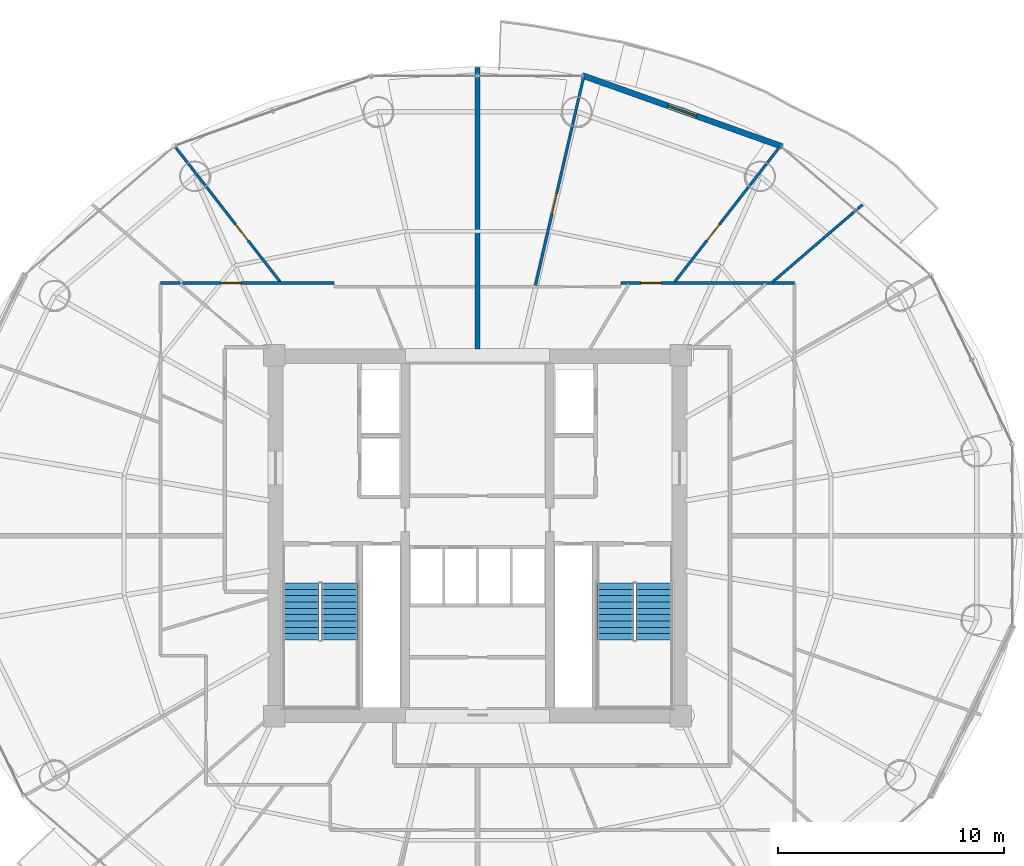
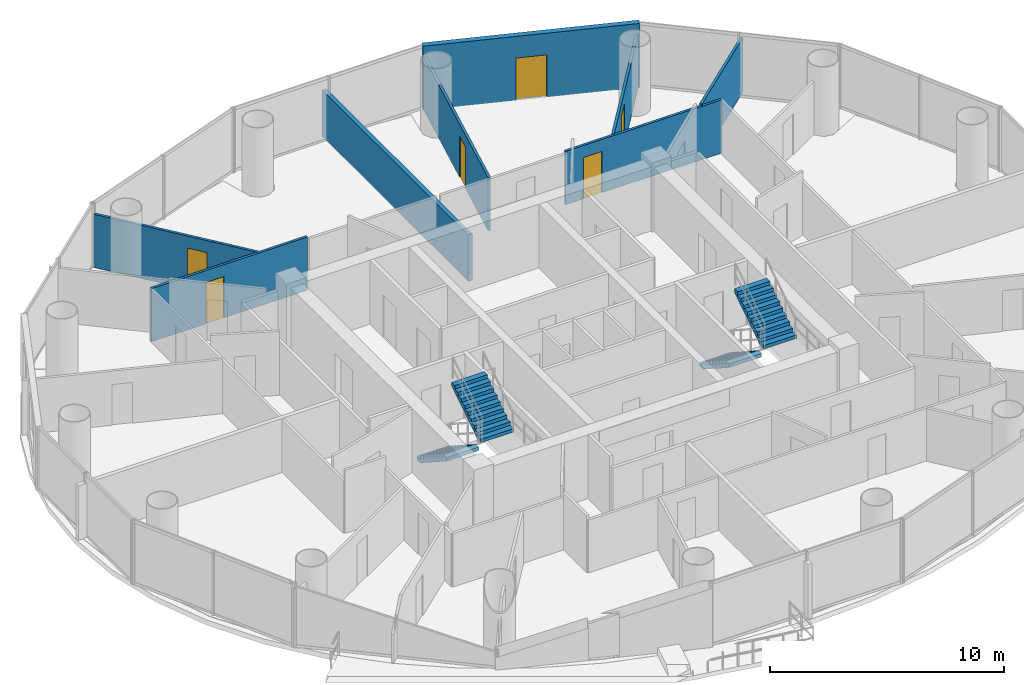
# One storey, part 24 of 27: 8 walls, 6 doors, 4 stair flights, 6 openings, 2 elements without a shape of their own.
"""IFC4 building model written with IfcOpenShell, lengths in metres."""

from ifc_helpers import new_model, si_unit, direction, frame, frame_2d, origin, place, context, subcontext, project, spatial, polyline, rectangle, outline, extrude, source, transform, mapped, material, layer, layer_set, type_object, element, fill, aggregate, save


model = new_model("IFC4")

# Units and contexts
model_context = context("Model", 3, precision=1e-05, world=origin(), true_north=direction((-0.2419218956, 0.970295726276)))
body_context = subcontext(model_context, "Body", "Model", "MODEL_VIEW")
ifc_project = project(units=[si_unit("LENGTHUNIT", "METRE"), si_unit("AREAUNIT", "SQUARE_METRE"), si_unit("VOLUMEUNIT", "CUBIC_METRE"), si_unit("PLANEANGLEUNIT", "RADIAN"), si_unit("MASSUNIT", "GRAM", prefix="KILO")], contexts=[model_context])

# Site, building, storey
site_placement = place(None, origin())
site = spatial("IfcSite", under=ifc_project, at=site_placement, CompositionType="ELEMENT")
building_placement = place(site_placement, origin())
building = spatial("IfcBuilding", under=site, at=building_placement, Name="Cobrevalo Terracotta Tower", CompositionType="ELEMENT")
storey_placement = place(building_placement, frame((0.0, 0.0, 157.0)))
storey = spatial("IfcBuildingStorey", under=building, at=storey_placement, Name="L41", CompositionType="ELEMENT", Elevation=157.0)

# Wall
ifc_material_1 = material(Name="Autoclaved aerated concrete block", Category="concrete")
ifc_layer_1 = layer(ifc_material_1, 0.199951171875)
ifc_layer_set_1 = layer_set([ifc_layer_1], Name="Autoclaved aerated concrete block")
wall_type_1 = type_object("IfcWallType", Name="Fire-rated stair, shaft & demising masonry wall 200 mm", PredefinedType="PARTITIONING", material=ifc_layer_set_1)
wall_1_placement = place(storey_placement, frame((38.0, 35.074951171875, 0.0), z_axis=(0.0, 0.0, 1.0), x_axis=(0.0, 1.0, 0.0)))
element("IfcWall", 1, at=wall_1_placement, inside=storey, type_object=wall_type_1, Name="L41 interior partition IW-L41-DEM-2", PredefinedType="PARTITIONING", context=body_context, shape_type="SweptSolid", body=[
    extrude(rectangle(XDim=12.465087890625, YDim=0.199951171875, at=frame_2d((6.232421875, 0.0))), origin(), (0.0, 0.0, 1.0), 2.4150390625),
])

# Wall, opening, door
ifc_layer_2 = layer(ifc_material_1, 0.260009765625)
ifc_layer_set_2 = layer_set([ifc_layer_2], Name="Autoclaved aerated concrete block")
wall_type_2 = type_object("IfcWallType", Name="Recessed balcony loggia insulated exterior wall 260 mm", PredefinedType="SOLIDWALL", material=ifc_layer_set_2)
wall_2_placement = place(storey_placement, frame((51.50341796875, 44.042724609375, 0.0), z_axis=(0.0, 0.0, 1.0), x_axis=(-0.942095406405, 0.335344964522, 0.0)))
wall_2 = element("IfcWall", 2, at=wall_2_placement, inside=storey, type_object=wall_type_2, Name="L41 balcony loggia wall S03", PredefinedType="SOLIDWALL", context=body_context, shape_type="SweptSolid", body=[
    extrude(rectangle(XDim=9.408203125, YDim=0.260009765625, at=frame_2d((4.7041015625, 0.0))), origin(), (0.0, 0.0, 1.0), 3.330078125),
])
opening_1_placement = place(wall_2_placement, frame((4.029052734375, 0.0, 0.0)))
opening_1 = element("IfcOpeningElement", 3, at=opening_1_placement, cuts=wall_2, Name="Opening ED-05", PredefinedType="OPENING", context=body_context, shape_type="SweptSolid", body=[
    extrude(rectangle(XDim=1.35009765625, YDim=2.199951171875, at=frame_2d((0.675048828125, 1.10009765625))), frame((0.0, 0.14013671875, 0.0), z_axis=(0.0, -1.0, 0.0), x_axis=(1.0, 0.0, 0.0)), (0.0, 0.0, 1.0), 0.280029296875),
])
ifc_material_2 = material(Name="Anodized aluminium and laminated glass", Category="aluminium")
door_type_1 = type_object("IfcDoorType", Name="Suite balcony acoustic glazed terrace door 1350x2200", OperationType="NOTDEFINED", PredefinedType="DOOR", material=ifc_material_2)
shared_shape_1 = source(origin(), body_context, "Body", "SweptSolid", [
    extrude(rectangle(XDim=1.35009765625, YDim=2.199951171875, at=frame_2d((0.675048828125, 1.10009765625))), frame((0.0, 0.02490234375, 0.0), z_axis=(0.0, -1.0, 0.0), x_axis=(1.0, 0.0, 0.0)), (0.0, 0.0, 1.0), 0.050048828125),
])
door_1_placement = place(opening_1_placement, frame((1.35009765625, 0.0, 0.0), z_axis=(0.0, 0.0, 1.0), x_axis=(-1.0, 0.0, 0.0)))
door_1 = element("IfcDoor", 4, at=door_1_placement, inside=storey, type_object=door_type_1, Name="L41 glazed balcony terrace door 1", OperationType="SINGLE_SWING_LEFT", OverallHeight=2.199951171875, OverallWidth=1.35009765625, PredefinedType="DOOR", context=body_context, shape_type="MappedRepresentation", body=[
    mapped(shared_shape_1, transform((0.0, 0.0, 0.0), scale=1.0)),
])
fill(opening_1, door_1)

ifc_material_3 = material(Name="Gypsum board on steel stud", Category="steel")
ifc_layer_3 = layer(ifc_material_3, 0.1201171875)
ifc_layer_set_3 = layer_set([ifc_layer_3], Name="Gypsum board on steel stud")
wall_type_3 = type_object("IfcWallType", Name="Residential internal acoustic stud partition 120 mm", PredefinedType="PARTITIONING", material=ifc_layer_set_3)
wall_3_placement = place(storey_placement, frame((44.35498046875, 37.9951171875, 0.0), z_axis=(0.0, 0.0, 1.0), x_axis=(1.0, 0.0, 0.0)))
wall_3 = element("IfcWall", 5, at=wall_3_placement, inside=storey, type_object=wall_type_3, Name="L41 interior partition IW-L41-U1-RING2_0", PredefinedType="PARTITIONING", context=body_context, shape_type="SweptSolid", body=[
    extrude(rectangle(XDim=7.68994140625, YDim=0.1201171875, at=frame_2d((3.844970703125, 0.0))), origin(), (0.0, 0.0, 1.0), 2.77587890625),
])
opening_2_placement = place(wall_3_placement, frame((0.887451171875, 0.0, 0.0)))
opening_2 = element("IfcOpeningElement", 6, at=opening_2_placement, cuts=wall_3, Name="Opening ID-12", PredefinedType="OPENING", context=body_context, shape_type="SweptSolid", body=[
    extrude(rectangle(XDim=0.89990234375, YDim=2.14990234375, at=frame_2d((0.449951171875, 1.074951171875))), frame((0.0, 0.070068359375, 0.0), z_axis=(0.0, -1.0, 0.0), x_axis=(1.0, 0.0, 0.0)), (0.0, 0.0, 1.0), 0.14013671875),
])
ifc_material_4 = material(Name="Engineered timber", Category="wood")
door_type_2 = type_object("IfcDoorType", Name="Internal residence & suite timber door 900x2150", OperationType="NOTDEFINED", PredefinedType="DOOR", material=ifc_material_4)
shared_shape_2 = source(origin(), body_context, "Body", "SweptSolid", [
    extrude(rectangle(XDim=0.89990234375, YDim=2.14990234375, at=frame_2d((0.449951171875, 1.074951171875))), frame((0.0, 0.02490234375, 0.0), z_axis=(0.0, -1.0, 0.0), x_axis=(1.0, 0.0, 0.0)), (0.0, 0.0, 1.0), 0.050048828125),
])
door_2_placement = place(opening_2_placement, origin())
door_2 = element("IfcDoor", 7, at=door_2_placement, inside=storey, type_object=door_type_2, Name="Flat L41A Penthouse Family Lounge internal door", OperationType="SINGLE_SWING_LEFT", OverallHeight=2.14990234375, OverallWidth=0.89990234375, PredefinedType="DOOR", context=body_context, shape_type="MappedRepresentation", body=[
    mapped(shared_shape_2, transform((0.0, 0.0, 0.0), scale=1.0)),
])
fill(opening_2, door_2)

# Wall
wall_4_placement = place(storey_placement, frame((51.072021484375, 38.035400390625, 0.0), z_axis=(0.0, 0.0, 1.0), x_axis=(0.758368609512, 0.65182593697, 0.0)))
element("IfcWall", 8, at=wall_4_placement, inside=storey, type_object=wall_type_3, Name="L41 interior partition IW-L41-U1-ORAD2", PredefinedType="PARTITIONING", context=body_context, shape_type="SweptSolid", body=[
    extrude(rectangle(XDim=5.263427734375, YDim=0.1201171875, at=frame_2d((2.6318359375, 0.0))), origin(), (0.0, 0.0, 1.0), 2.845947265625),
])

# Wall, opening, door
wall_5_placement = place(storey_placement, frame((46.740966796875, 38.0439453125, 0.0), z_axis=(0.0, 0.0, 1.0), x_axis=(0.613770587295, 0.789484430607, 0.0)))
wall_5 = element("IfcWall", 9, at=wall_5_placement, inside=storey, type_object=wall_type_3, Name="L41 interior partition IW-L41-U1-ORAD3M1", PredefinedType="PARTITIONING", context=body_context, shape_type="SweptSolid", body=[
    extrude(rectangle(XDim=7.5556640625, YDim=0.1201171875, at=frame_2d((3.77783203125, 0.0))), origin(), (0.0, 0.0, 1.0), 2.77587890625),
])
opening_3_placement = place(wall_5_placement, frame((2.324951171875, 0.0, 0.0)))
opening_3 = element("IfcOpeningElement", 10, at=opening_3_placement, cuts=wall_5, Name="Opening ID-12", PredefinedType="OPENING", context=body_context, shape_type="SweptSolid", body=[
    extrude(rectangle(XDim=0.89990234375, YDim=2.14990234375, at=frame_2d((0.449951171875, 1.074951171875))), frame((0.0, 0.070068359375, 0.0), z_axis=(0.0, -1.0, 0.0), x_axis=(1.0, 0.0, 0.0)), (0.0, 0.0, 1.0), 0.14013671875),
])
door_3_placement = place(opening_3_placement, frame((0.89990234375, 0.0, 0.0), z_axis=(0.0, 0.0, 1.0), x_axis=(-1.0, 0.0, 0.0)))
door_3 = element("IfcDoor", 11, at=door_3_placement, inside=storey, type_object=door_type_2, Name="Flat L41A Principal Guest Bedroom internal door", OperationType="SINGLE_SWING_RIGHT", OverallHeight=2.14990234375, OverallWidth=0.89990234375, PredefinedType="DOOR", context=body_context, shape_type="MappedRepresentation", body=[
    mapped(shared_shape_2, transform((0.0, 0.0, 0.0), scale=1.0)),
])
fill(opening_3, door_3)

wall_6_placement = place(storey_placement, frame((40.56787109375, 37.8955078125, 0.0), z_axis=(0.0, 0.0, 1.0), x_axis=(0.225452174141, 0.974254236416, 0.0)))
wall_6 = element("IfcWall", 12, at=wall_6_placement, inside=storey, type_object=wall_type_3, Name="L41 interior partition IW-L41-U1-ORAD3", PredefinedType="PARTITIONING", context=body_context, shape_type="SweptSolid", body=[
    extrude(rectangle(XDim=9.446044921875, YDim=0.1201171875, at=frame_2d((4.72314453125, 0.0))), origin(), (0.0, 0.0, 1.0), 2.77587890625),
])
opening_4_placement = place(wall_6_placement, frame((3.263916015625, 0.0, 0.0)))
opening_4 = element("IfcOpeningElement", 13, at=opening_4_placement, cuts=wall_6, Name="Opening ID-12", PredefinedType="OPENING", context=body_context, shape_type="SweptSolid", body=[
    extrude(rectangle(XDim=0.89990234375, YDim=2.14990234375, at=frame_2d((0.449951171875, 1.074951171875))), frame((0.0, 0.070068359375, 0.0), z_axis=(0.0, -1.0, 0.0), x_axis=(1.0, 0.0, 0.0)), (0.0, 0.0, 1.0), 0.14013671875),
])
door_4_placement = place(opening_4_placement, origin())
door_4 = element("IfcDoor", 14, at=door_4_placement, inside=storey, type_object=door_type_2, Name="Flat L41A North Bedroom internal door", OperationType="SINGLE_SWING_LEFT", OverallHeight=2.14990234375, OverallWidth=0.89990234375, PredefinedType="DOOR", context=body_context, shape_type="MappedRepresentation", body=[
    mapped(shared_shape_2, transform((0.0, 0.0, 0.0), scale=1.0)),
])
fill(opening_4, door_4)

wall_7_placement = place(storey_placement, frame((23.955078125, 37.9951171875, 0.0), z_axis=(0.0, 0.0, 1.0), x_axis=(1.0, 0.0, 0.0)))
wall_7 = element("IfcWall", 15, at=wall_7_placement, inside=storey, type_object=wall_type_3, Name="L41 interior partition IW-L41-U2-RING1_0", PredefinedType="PARTITIONING", context=body_context, shape_type="SweptSolid", body=[
    extrude(rectangle(XDim=7.68994140625, YDim=0.1201171875, at=frame_2d((3.844970703125, 0.0))), origin(), (0.0, 0.0, 1.0), 2.77587890625),
])
opening_5_placement = place(wall_7_placement, frame((2.666748046875, 0.0, 0.0)))
opening_5 = element("IfcOpeningElement", 16, at=opening_5_placement, cuts=wall_7, Name="Opening ID-12", PredefinedType="OPENING", context=body_context, shape_type="SweptSolid", body=[
    extrude(rectangle(XDim=0.89990234375, YDim=2.14990234375, at=frame_2d((0.449951171875, 1.074951171875))), frame((0.0, 0.070068359375, 0.0), z_axis=(0.0, -1.0, 0.0), x_axis=(1.0, 0.0, 0.0)), (0.0, 0.0, 1.0), 0.14013671875),
])
door_5_placement = place(opening_5_placement, origin())
door_5 = element("IfcDoor", 17, at=door_5_placement, inside=storey, type_object=door_type_2, Name="Flat L41B Master Bedroom internal door", OperationType="SINGLE_SWING_LEFT", OverallHeight=2.14990234375, OverallWidth=0.89990234375, PredefinedType="DOOR", context=body_context, shape_type="MappedRepresentation", body=[
    mapped(shared_shape_2, transform((0.0, 0.0, 0.0), scale=1.0)),
])
fill(opening_5, door_5)

wall_8_placement = place(storey_placement, frame((29.259033203125, 38.0439453125, 0.0), z_axis=(0.0, 0.0, 1.0), x_axis=(-0.613770587295, 0.789484430607, 0.0)))
wall_8 = element("IfcWall", 18, at=wall_8_placement, inside=storey, type_object=wall_type_3, Name="L41 interior partition IW-L41-U2-ORAD1", PredefinedType="PARTITIONING", context=body_context, shape_type="SweptSolid", body=[
    extrude(rectangle(XDim=7.5556640625, YDim=0.1201171875, at=frame_2d((3.77783203125, 0.0))), origin(), (0.0, 0.0, 1.0), 2.77587890625),
])
opening_6_placement = place(wall_8_placement, frame((2.32958984375, 0.0, 0.0)))
opening_6 = element("IfcOpeningElement", 19, at=opening_6_placement, cuts=wall_8, Name="Opening ID-12", PredefinedType="OPENING", context=body_context, shape_type="SweptSolid", body=[
    extrude(rectangle(XDim=0.89990234375, YDim=2.14990234375, at=frame_2d((0.449951171875, 1.074951171875))), frame((0.0, 0.070068359375, 0.0), z_axis=(0.0, -1.0, 0.0), x_axis=(1.0, 0.0, 0.0)), (0.0, 0.0, 1.0), 0.14013671875),
])
door_6_placement = place(opening_6_placement, frame((0.89990234375, 0.0, 0.0), z_axis=(0.0, 0.0, 1.0), x_axis=(-1.0, 0.0, 0.0)))
door_6 = element("IfcDoor", 20, at=door_6_placement, inside=storey, type_object=door_type_2, Name="Flat L41B Penthouse Living and Dining Room internal door", OperationType="SINGLE_SWING_RIGHT", OverallHeight=2.14990234375, OverallWidth=0.89990234375, PredefinedType="DOOR", context=body_context, shape_type="MappedRepresentation", body=[
    mapped(shared_shape_2, transform((0.0, 0.0, 0.0), scale=1.0)),
])
fill(opening_6, door_6)

# Stair, stair flights
ifc_material_5 = material(Name="Concrete C50", Category="concrete")
stair_type = type_object("IfcStairType", Name="Core protected escape dogleg stair 1600", PredefinedType="HALF_TURN_STAIR", material=ifc_material_5)
stair_1_placement = place(storey_placement, origin())
stair_1 = element("IfcStair", 21, at=stair_1_placement, inside=storey, type_object=stair_type, Name="L41 Protected exit stair ST-1", PredefinedType="HALF_TURN_STAIR")
stair_flight_type = type_object("IfcStairFlightType", Name="Core protected escape dogleg stair 1600 flight", PredefinedType="STRAIGHT", material=ifc_material_5)
stair_flight_1_placement = place(storey_placement, frame((30.175048828125, 24.699951171875, 0.0), z_axis=(0.0, 0.0, 1.0), x_axis=(0.0, -1.0, 0.0)))
stair_flight_1 = element("IfcStairFlight", 22, at=stair_flight_1_placement, type_object=stair_flight_type, Name="ST-1 flight 1", NumberOfRisers=10, NumberOfTreads=9, PredefinedType="STRAIGHT", RiserHeight=0.18, TreadLength=0.28, context=body_context, shape_type="SweptSolid", body=[
    extrude(outline(polyline([(0.0, 0.0), (0.0, 0.179931640625), (0.280029296875, 0.179931640625), (0.280029296875, 0.360107421875), (0.56005859375, 0.360107421875), (0.56005859375, 0.5400390625), (0.840087890625, 0.5400390625), (0.840087890625, 0.719970703125), (1.1201171875, 0.719970703125), (1.1201171875, 0.89990234375), (1.39990234375, 0.89990234375), (1.39990234375, 1.080078125), (1.679931640625, 1.080078125), (1.679931640625, 1.260009765625), (1.9599609375, 1.260009765625), (1.9599609375, 1.43994140625), (2.239990234375, 1.43994140625), (2.239990234375, 1.6201171875), (2.52001953125, 1.6201171875), (2.52001953125, 1.800048828125), (2.52001953125, 1.429931640625), (0.295654296875, 0.0), (0.0, 0.0)])), frame((0.0, 0.800048828125, 0.0), z_axis=(0.0, -1.0, 0.0), x_axis=(1.0, 0.0, 0.0)), (0.0, 0.0, 1.0), 1.60009765625),
])
stair_flight_2_placement = place(storey_placement, frame((31.89501953125, 22.179931640625, 1.800048828125), z_axis=(0.0, 0.0, 1.0), x_axis=(0.0, 1.0, 0.0)))
stair_flight_2 = element("IfcStairFlight", 23, at=stair_flight_2_placement, type_object=stair_flight_type, Name="ST-1 flight 2", NumberOfRisers=10, NumberOfTreads=9, PredefinedType="STRAIGHT", RiserHeight=0.18, TreadLength=0.28, context=body_context, shape_type="SweptSolid", body=[
    extrude(outline(polyline([(0.0, 0.0), (0.0, 0.179931640625), (0.280029296875, 0.179931640625), (0.280029296875, 0.360107421875), (0.56005859375, 0.360107421875), (0.56005859375, 0.5400390625), (0.840087890625, 0.5400390625), (0.840087890625, 0.719970703125), (1.1201171875, 0.719970703125), (1.1201171875, 0.89990234375), (1.39990234375, 0.89990234375), (1.39990234375, 1.080078125), (1.679931640625, 1.080078125), (1.679931640625, 1.260009765625), (1.9599609375, 1.260009765625), (1.9599609375, 1.43994140625), (2.239990234375, 1.43994140625), (2.239990234375, 1.6201171875), (2.52001953125, 1.6201171875), (2.52001953125, 1.800048828125), (2.52001953125, 1.429931640625), (0.295654296875, 0.0), (0.0, 0.0)])), frame((0.0, 0.800048828125, 0.0), z_axis=(0.0, -1.0, 0.0), x_axis=(1.0, 0.0, 0.0)), (0.0, 0.0, 1.0), 1.60009765625),
])
aggregate(stair_1, [stair_flight_1, stair_flight_2])

stair_2_placement = place(storey_placement, origin())
stair_2 = element("IfcStair", 24, at=stair_2_placement, inside=storey, type_object=stair_type, Name="L41 Protected exit stair ST-2", PredefinedType="HALF_TURN_STAIR")
stair_flight_3_placement = place(storey_placement, frame((44.10498046875, 24.699951171875, 0.0), z_axis=(0.0, 0.0, 1.0), x_axis=(0.0, -1.0, 0.0)))
stair_flight_3 = element("IfcStairFlight", 25, at=stair_flight_3_placement, type_object=stair_flight_type, Name="ST-2 flight 1", NumberOfRisers=10, NumberOfTreads=9, PredefinedType="STRAIGHT", RiserHeight=0.18, TreadLength=0.28, context=body_context, shape_type="SweptSolid", body=[
    extrude(outline(polyline([(0.0, 0.0), (0.0, 0.179931640625), (0.280029296875, 0.179931640625), (0.280029296875, 0.360107421875), (0.56005859375, 0.360107421875), (0.56005859375, 0.5400390625), (0.840087890625, 0.5400390625), (0.840087890625, 0.719970703125), (1.1201171875, 0.719970703125), (1.1201171875, 0.89990234375), (1.39990234375, 0.89990234375), (1.39990234375, 1.080078125), (1.679931640625, 1.080078125), (1.679931640625, 1.260009765625), (1.9599609375, 1.260009765625), (1.9599609375, 1.43994140625), (2.239990234375, 1.43994140625), (2.239990234375, 1.6201171875), (2.52001953125, 1.6201171875), (2.52001953125, 1.800048828125), (2.52001953125, 1.429931640625), (0.295654296875, 0.0), (0.0, 0.0)])), frame((0.0, 0.800048828125, 0.0), z_axis=(0.0, -1.0, 0.0), x_axis=(1.0, 0.0, 0.0)), (0.0, 0.0, 1.0), 1.60009765625),
])
stair_flight_4_placement = place(storey_placement, frame((45.824951171875, 22.179931640625, 1.800048828125), z_axis=(0.0, 0.0, 1.0), x_axis=(0.0, 1.0, 0.0)))
stair_flight_4 = element("IfcStairFlight", 26, at=stair_flight_4_placement, type_object=stair_flight_type, Name="ST-2 flight 2", NumberOfRisers=10, NumberOfTreads=9, PredefinedType="STRAIGHT", RiserHeight=0.18, TreadLength=0.28, context=body_context, shape_type="SweptSolid", body=[
    extrude(outline(polyline([(0.0, 0.0), (0.0, 0.179931640625), (0.280029296875, 0.179931640625), (0.280029296875, 0.360107421875), (0.56005859375, 0.360107421875), (0.56005859375, 0.5400390625), (0.840087890625, 0.5400390625), (0.840087890625, 0.719970703125), (1.1201171875, 0.719970703125), (1.1201171875, 0.89990234375), (1.39990234375, 0.89990234375), (1.39990234375, 1.080078125), (1.679931640625, 1.080078125), (1.679931640625, 1.260009765625), (1.9599609375, 1.260009765625), (1.9599609375, 1.43994140625), (2.239990234375, 1.43994140625), (2.239990234375, 1.6201171875), (2.52001953125, 1.6201171875), (2.52001953125, 1.800048828125), (2.52001953125, 1.429931640625), (0.295654296875, 0.0), (0.0, 0.0)])), frame((0.0, 0.800048828125, 0.0), z_axis=(0.0, -1.0, 0.0), x_axis=(1.0, 0.0, 0.0)), (0.0, 0.0, 1.0), 1.60009765625),
])
aggregate(stair_2, [stair_flight_3, stair_flight_4])

save(model, "model.ifc")
